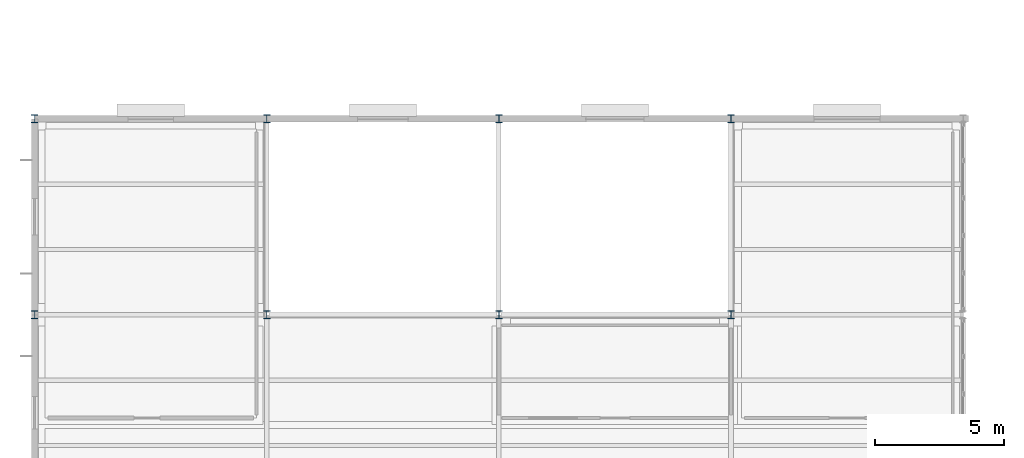
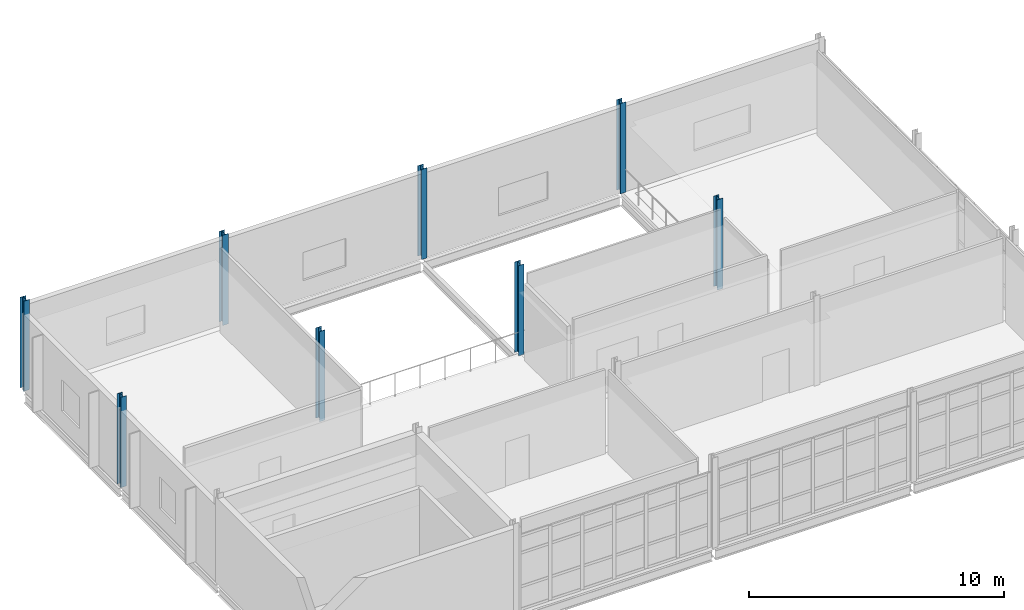
# One storey, part 16 of 174: 8 columns.
"""IFC4 building model written with IfcOpenShell, lengths in metres."""

from ifc_helpers import new_model, si_unit, direction, frame, origin, origin_2d, place, context, subcontext, project, spatial, i_section, extrude, material, material_profile, profile_set, type_object, element, save


model = new_model("IFC4")

# Units and contexts
model_context = context("Model", 3, precision=1e-05, world=origin(), true_north=direction((0.0, 1.0)))
body_context = subcontext(model_context, "Body", "Model", "MODEL_VIEW")
ifc_project = project(units=[si_unit("LENGTHUNIT", "METRE"), si_unit("AREAUNIT", "SQUARE_METRE"), si_unit("VOLUMEUNIT", "CUBIC_METRE"), si_unit("PLANEANGLEUNIT", "RADIAN"), si_unit("MASSUNIT", "GRAM", prefix="KILO")], contexts=[model_context])

# Site, building, storey
site_placement = place(None, origin())
site = spatial("IfcSite", under=ifc_project, at=site_placement, CompositionType="ELEMENT")
building_placement = place(site_placement, origin())
building = spatial("IfcBuilding", under=site, at=building_placement, Name="Caisbarro Railhouse Central Library", CompositionType="ELEMENT")
storey_placement = place(building_placement, frame((0.0, 0.0, 5.0400390625)))
storey = spatial("IfcBuildingStorey", under=building, at=storey_placement, Name="L01", CompositionType="ELEMENT", Elevation=5.0400390625)

# Columns
ifc_material = material(Name="Steel ASTM A572 Grade 50", Category="steel")
ifc_material_profile = material_profile(ifc_material, i_section(OverallWidth=0.25390625, OverallDepth=0.305908203125, WebThickness=0.0087890625, FlangeThickness=0.0146484375, FilletRadius=0.014892578125, at=origin_2d()), Name="W310X79.0")
ifc_profile_set = profile_set([ifc_material_profile], Name="Steel ASTM A572 Grade 50")
column_type = type_object("IfcColumnType", Name="COL-C07", PredefinedType="COLUMN", material=ifc_profile_set)
for number, where, z_axis, x_axis, name in (
    (1, (0.0, 98.800048828125, 0.0), (0.0, 0.0, 1.0), (1.0, 0.0, 0.0), "C07 column L01 (0.0,98.8)"),
    (2, (0.0, 106.39990234375, 0.0), (0.0, 0.0, 1.0), (1.0, 0.0, 0.0), "C07 column L01 (0.0,106.4)"),
    (3, (9.0, 98.800048828125, 0.0), (0.0, 0.0, 1.0), (1.0, 0.0, 0.0), "C07 column L01 (9.0,98.8)"),
    (4, (9.0, 106.39990234375, 0.0), (0.0, 0.0, 1.0), (1.0, 0.0, 0.0), "C07 column L01 (9.0,106.4)"),
    (5, (18.0, 98.800048828125, 0.0), (0.0, 0.0, 1.0), (1.0, 0.0, 0.0), "C07 column L01 (18.0,98.8)"),
    (6, (18.0, 106.39990234375, 0.0), (0.0, 0.0, 1.0), (1.0, 0.0, 0.0), "C07 column L01 (18.0,106.4)"),
    (7, (27.0, 98.800048828125, 0.0), (0.0, 0.0, 1.0), (1.0, 0.0, 0.0), "C07 column L01 (27.0,98.8)"),
    (8, (27.0, 106.39990234375, 0.0), (0.0, 0.0, 1.0), (1.0, 0.0, 0.0), "C07 column L01 (27.0,106.4)"),
):
    element("IfcColumn", number, at=place(storey_placement, frame(where, z_axis=z_axis, x_axis=x_axis)), inside=storey, type_object=column_type, Name=name, PredefinedType="COLUMN", context=body_context, shape_type="SweptSolid", body=[
        extrude(i_section(OverallWidth=0.25390625, OverallDepth=0.305908203125, WebThickness=0.0087890625, FlangeThickness=0.0146484375, FilletRadius=0.014892578125, at=origin_2d()), origin(), (0.0, 0.0, 1.0), 4.320068359375),
    ])

save(model, "model.ifc")
